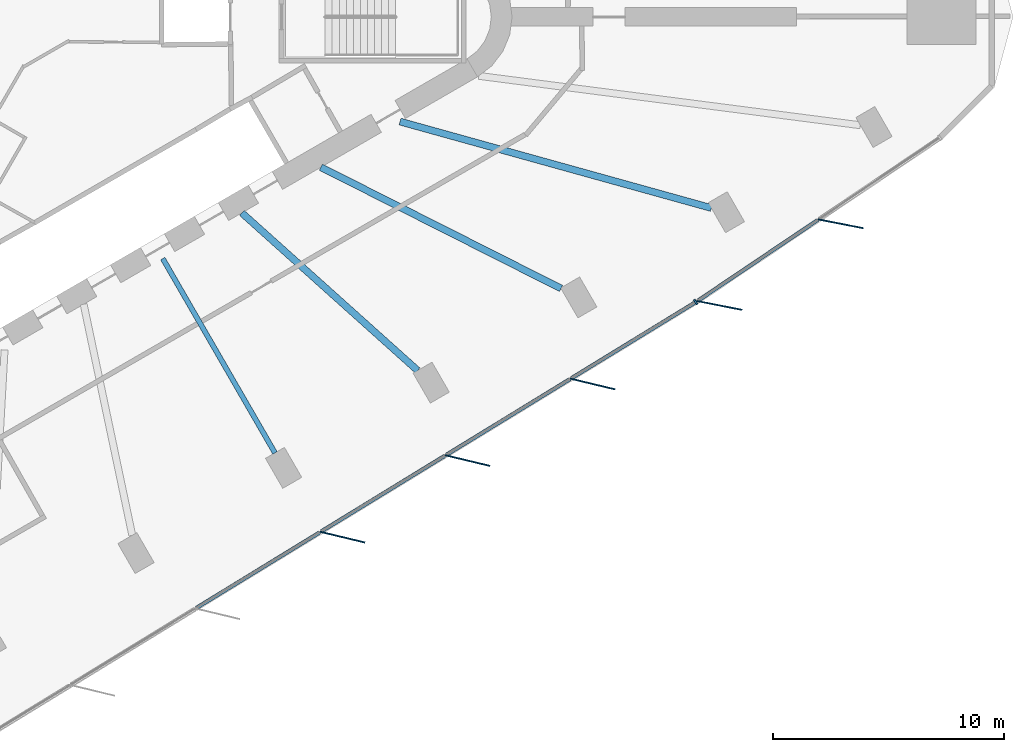
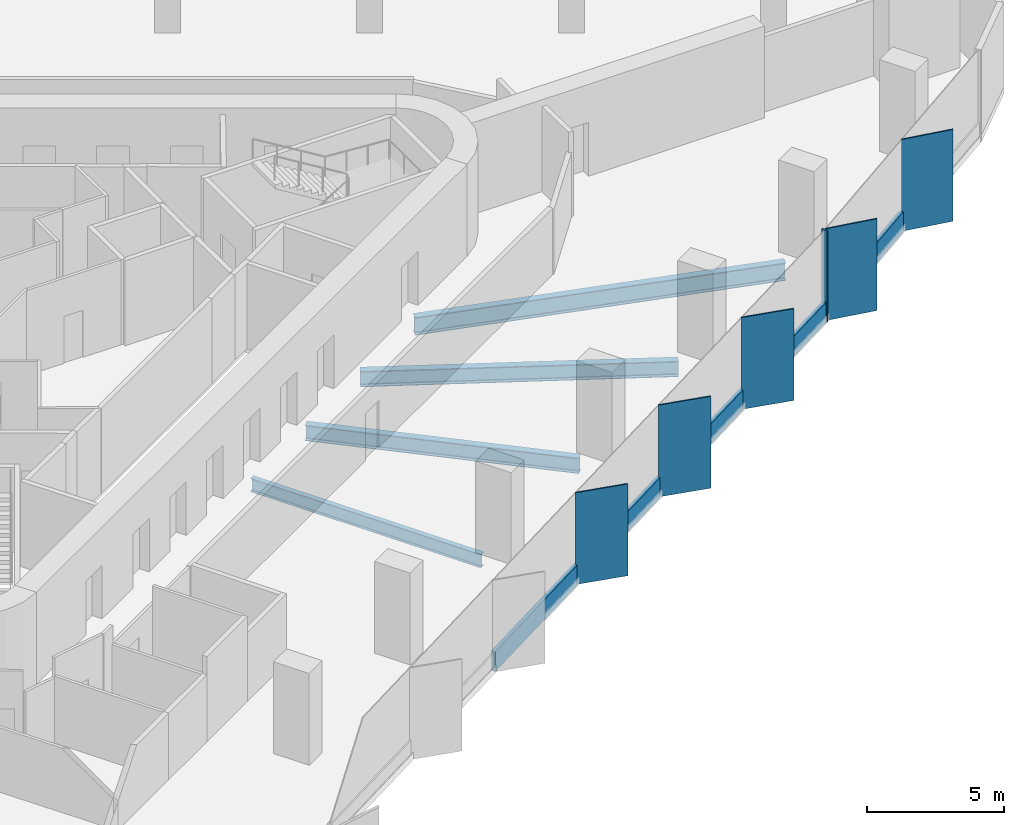
# One storey, part 3 of 14: 11 members, 4 beams, 2 elements without a shape of their own.
"""IFC4 building model written with IfcOpenShell, lengths in metres."""

import ifcopenshell
import ifcopenshell.guid

model = None  # the IFC model being written
_history = None  # IfcOwnerHistory: only IFC2X3 demands one
_inside = {}  # id of a spatial element -> (the spatial element, [elements in it])
_under = {}  # id of a project, library or spatial element -> (it, [spatial elements below it])
_declared = {}  # id of a project -> (the project, [libraries it declares])
_typed = {}  # id of a type object -> (the type object, [elements of that type])
_made_of = {}  # id of a material, layer set ... -> (it, [elements and type objects made of it])


def new_model(schema):
    """Start an empty IFC model of exactly this schema.

    Asked for "IFC4X3", IfcOpenShell would pick the latest addendum, in which some entities
    have other attributes; the version numbers below select the first issue.
    IFC2X3 requires an IfcOwnerHistory on every rooted entity: one is made here for all.
    """
    global model, _history
    if schema == "IFC4X3":
        model = ifcopenshell.file(schema_version=(4, 3, 0, 0))
    else:
        model = ifcopenshell.file(schema=schema)
    _inside.clear()
    _under.clear()
    _declared.clear()
    _typed.clear()
    _made_of.clear()
    _history = None
    if model.schema == "IFC2X3":
        org = make("IfcOrganization", Name="unknown")
        user = make(
            "IfcPersonAndOrganization",
            ThePerson=make("IfcPerson", FamilyName="unknown"),
            TheOrganization=org,
        )
        app = make(
            "IfcApplication",
            ApplicationDeveloper=org,
            Version="unknown",
            ApplicationFullName="unknown",
            ApplicationIdentifier="unknown",
        )
        _history = make(
            "IfcOwnerHistory",
            OwningUser=user,
            OwningApplication=app,
            ChangeAction="ADDED",
            CreationDate=0,
        )
    return model


def make(cls, **values):
    """One entity of the class cls with the attributes given. An attribute that is None is left unset."""
    return model.create_entity(
        cls, **{name: value for name, value in values.items() if value is not None}
    )


def rooted(cls, **values):
    """An entity with a GlobalId (a new one), such as an element, a storey or a relation."""
    return make(cls, GlobalId=ifcopenshell.guid.new(), OwnerHistory=_history, **values)


def si_unit(unit_type, name, prefix=None):
    """IfcSIUnit, for example si_unit("LENGTHUNIT", "METRE", prefix="MILLI")."""
    return make("IfcSIUnit", UnitType=unit_type, Prefix=prefix, Name=name)


def assignment(units):
    """IfcUnitAssignment: the units of a project."""
    return None if units is None else make("IfcUnitAssignment", Units=units)


def point(xyz):
    """IfcCartesianPoint."""
    return None if xyz is None else make("IfcCartesianPoint", Coordinates=xyz)


def direction(xyz):
    """IfcDirection."""
    return None if xyz is None else make("IfcDirection", DirectionRatios=xyz)


def frame(location, z_axis=None, x_axis=None):
    """IfcAxis2Placement3D, a coordinate frame: its origin and axes. An axis left out is left unset."""
    return make(
        "IfcAxis2Placement3D",
        Location=point(location),
        Axis=direction(z_axis),
        RefDirection=direction(x_axis),
    )


def frame_2d(location, x_axis=None):
    """IfcAxis2Placement2D, a coordinate frame in the plane: its origin and x axis."""
    return make(
        "IfcAxis2Placement2D", Location=point(location), RefDirection=direction(x_axis)
    )


def origin():
    """The frame at (0, 0, 0) with its axes left unset."""
    return frame((0.0, 0.0, 0.0))


def origin_2d():
    """The frame at (0, 0) in the plane with its x axis left unset."""
    return frame_2d((0.0, 0.0))


def place(relative_to, where):
    """IfcLocalPlacement: puts the frame where relative to a parent placement (None: the world)."""
    return make(
        "IfcLocalPlacement", PlacementRelTo=relative_to, RelativePlacement=where
    )


def context(
    kind, dimensions, precision=None, world=None, true_north=None, identifier=None
):
    """IfcGeometricRepresentationContext, for example the 3D "Model" context."""
    return make(
        "IfcGeometricRepresentationContext",
        ContextIdentifier=identifier,
        ContextType=kind,
        CoordinateSpaceDimension=dimensions,
        Precision=precision,
        WorldCoordinateSystem=world,
        TrueNorth=true_north,
    )


def subcontext(parent, identifier, kind, view, scale=None):
    """IfcGeometricRepresentationSubContext, for example "Body" below "Model"."""
    return make(
        "IfcGeometricRepresentationSubContext",
        ContextIdentifier=identifier,
        ContextType=kind,
        ParentContext=parent,
        TargetScale=scale,
        TargetView=view,
    )


def project(units=None, contexts=None):
    """IfcProject with its units and contexts."""
    return rooted(
        "IfcProject",
        Name="project",
        RepresentationContexts=contexts,
        UnitsInContext=assignment(units),
    )


def spatial(cls, under=None, at=None, **own):
    """A site, building, storey or space (cls), placed at a placement, below another one or the project."""
    s = rooted(cls, ObjectPlacement=at, **own)
    if under is not None:
        _under.setdefault(under.id(), (under, []))[1].append(s)
    return s


def profile(cls, at=None, kind="AREA", **sizes):
    """A parametric profile (cls). Its sizes go by their IFC names, for example OverallWidth=200.0."""
    return make(cls, ProfileType=kind, Position=at, **sizes)


def rectangle(**sizes):
    """IfcRectangleProfileDef."""
    return profile("IfcRectangleProfileDef", **sizes)


def i_section(**sizes):
    """IfcIShapeProfileDef."""
    return profile("IfcIShapeProfileDef", **sizes)


def extrude(swept, where, along, depth):
    """IfcExtrudedAreaSolid: the profile swept, set in the frame where, extruded along a direction by depth."""
    return make(
        "IfcExtrudedAreaSolid",
        SweptArea=swept,
        Position=where,
        ExtrudedDirection=direction(along),
        Depth=depth,
    )


def shape(context_of_items, identifier, shape_type, items):
    """IfcShapeRepresentation: the items that make up one representation, for example the "Body"."""
    return make(
        "IfcShapeRepresentation",
        ContextOfItems=context_of_items,
        RepresentationIdentifier=identifier,
        RepresentationType=shape_type,
        Items=items,
    )


def material(Name=None, Category=None):
    """IfcMaterial."""
    return make("IfcMaterial", Name=Name, Category=Category)


def material_profile(
    of_material, cross_section, Name=None, Category=None, Priority=None
):
    """IfcMaterialProfile: a cross section and its material."""
    return make(
        "IfcMaterialProfile",
        Name=Name,
        Material=of_material,
        Profile=cross_section,
        Priority=Priority,
        Category=Category,
    )


def profile_set(profiles, Name=None, composite=None):
    """IfcMaterialProfileSet."""
    return make(
        "IfcMaterialProfileSet",
        Name=Name,
        MaterialProfiles=profiles,
        CompositeProfile=composite,
    )


def made_of(thing, what):
    """Note that an element or type object is made of a material, layer set ...; save() writes the relation."""
    if what is not None:
        _made_of.setdefault(what.id(), (what, []))[1].append(thing)
    return thing


def type_object(cls, material=None, **own):
    """A type object (cls), such as IfcWallType, which elements share."""
    return made_of(rooted(cls, **own), material)


def element(
    cls,
    number,
    at=None,
    inside=None,
    cuts=None,
    type_object=None,
    material=None,
    context=None,
    identifier="Body",
    shape_type=None,
    held_by="IfcProductDefinitionShape",
    body=None,
    shapes=None,
    **own,
):
    """One element of the class cls, such as IfcWall. Its Tag is "e" and its number.

    at: its placement. inside: the storey or other place that contains it. cuts: it is an
    opening in that element (IfcRelVoidsElement). A single representation is given by context,
    identifier, shape_type and body (its items); several are given by shapes. held_by: the class
    of the entity that holds the representations. save() writes the other relations.
    """
    e = rooted(cls, Tag="e%d" % number, ObjectPlacement=at, **own)
    if body is not None:
        shapes = [shape(context, identifier, shape_type, body)]
    if shapes is not None:
        e.Representation = make(held_by, Representations=shapes)
    if inside is not None:
        _inside.setdefault(inside.id(), (inside, []))[1].append(e)
    if cuts is not None:
        rooted(
            "IfcRelVoidsElement", RelatingBuildingElement=cuts, RelatedOpeningElement=e
        )
    if type_object is not None:
        _typed.setdefault(type_object.id(), (type_object, []))[1].append(e)
    return made_of(e, material)


def aggregate(whole, parts):
    """IfcRelAggregates: a whole, such as a stair, and the parts it consists of."""
    return rooted("IfcRelAggregates", RelatingObject=whole, RelatedObjects=parts)


def save(model, path):
    """Write the relations noted so far, then the file.

    IfcRelAggregates (storeys below a building ...), IfcRelContainedInSpatialStructure (elements
    in a storey), IfcRelDefinesByType, IfcRelAssociatesMaterial and IfcRelDeclares: one each for
    every whole, place, type object, material and project.
    """
    for whole, parts in _under.values():
        aggregate(whole, parts)
    for where, things in _inside.values():
        rooted(
            "IfcRelContainedInSpatialStructure",
            RelatedElements=things,
            RelatingStructure=where,
        )
    for kind, things in _typed.values():
        rooted("IfcRelDefinesByType", RelatedObjects=things, RelatingType=kind)
    for what, things in _made_of.values():
        rooted("IfcRelAssociatesMaterial", RelatedObjects=things, RelatingMaterial=what)
    for by, libraries in _declared.values():
        rooted("IfcRelDeclares", RelatingContext=by, RelatedDefinitions=libraries)
    model.write(path)


model = new_model("IFC4")

# Units and contexts
model_context = context("Model", 3, precision=1e-05, world=origin(), true_north=direction((0.0, 1.0)))
body_context = subcontext(model_context, "Body", "Model", "MODEL_VIEW")
ifc_project = project(units=[si_unit("LENGTHUNIT", "METRE"), si_unit("AREAUNIT", "SQUARE_METRE"), si_unit("VOLUMEUNIT", "CUBIC_METRE"), si_unit("PLANEANGLEUNIT", "RADIAN"), si_unit("MASSUNIT", "GRAM", prefix="KILO")], contexts=[model_context])

# Site, building, storey
site_placement = place(None, origin())
site = spatial("IfcSite", under=ifc_project, at=site_placement, CompositionType="ELEMENT")
building_placement = place(site_placement, origin())
building = spatial("IfcBuilding", under=site, at=building_placement, Name="Tanit Gate Tower", CompositionType="ELEMENT")
storey_placement = place(building_placement, frame((0.0, 0.0, 148.0)))
storey = spatial("IfcBuildingStorey", under=building, at=storey_placement, Name="L32", CompositionType="ELEMENT", Elevation=148.0)

# Curtain wall, members
ifc_material_1 = material(Name="Aluminium bronze anodised and glass", Category="aluminium")
curtain_wall_type = type_object("IfcCurtainWallType", Name="Curtain wall typical low", PredefinedType="NOTDEFINED", material=ifc_material_1)
curtain_wall_1_placement = place(storey_placement, origin())
curtain_wall_1 = element("IfcCurtainWall", 1, at=curtain_wall_1_placement, inside=storey, type_object=curtain_wall_type, Name="Curtain wall L32 SE2", PredefinedType="NOTDEFINED")
ifc_material_2 = material(Name="Aluminium bronze anodised", Category="aluminium")
ifc_material_profile_1 = material_profile(ifc_material_2, rectangle(XDim=2.0, YDim=0.055908203125, at=origin_2d()), Name="56x2000 bronze fin mullion")
ifc_profile_set_1 = profile_set([ifc_material_profile_1], Name="Aluminium bronze anodised")
member_type_1 = type_object("IfcMemberType", Name="FIN MULLION 56x2000 bronze", PredefinedType="MULLION", material=ifc_profile_set_1)
member_1_placement = place(storey_placement, frame((13.8447265625, -22.560546875, -0.300048828125), z_axis=(0.0, 0.0, 1.0), x_axis=(-0.972310815553, 0.233691416098, 0.0)))
member_1 = element("IfcMember", 2, at=member_1_placement, type_object=member_type_1, Name="Fin mullion L32 SE2.4", PredefinedType="MULLION", context=body_context, shape_type="SweptSolid", body=[
    extrude(rectangle(XDim=2.0, YDim=0.055908203125, at=origin_2d()), origin(), (0.0, 0.0, 1.0), 4.10009765625),
])
member_2_placement = place(storey_placement, frame((19.26806640625, -19.239013671875, -0.300048828125), z_axis=(0.0, 0.0, 1.0), x_axis=(-0.972310815553, 0.233691416098, 0.0)))
member_2 = element("IfcMember", 3, at=member_2_placement, type_object=member_type_1, Name="Fin mullion L32 SE2.5", PredefinedType="MULLION", context=body_context, shape_type="SweptSolid", body=[
    extrude(rectangle(XDim=2.0, YDim=0.055908203125, at=origin_2d()), origin(), (0.0, 0.0, 1.0), 4.10009765625),
])
member_3_placement = place(storey_placement, frame((24.691650390625, -15.917236328125, -0.300048828125), z_axis=(0.0, 0.0, 1.0), x_axis=(-0.972310815553, 0.233691416098, 0.0)))
member_3 = element("IfcMember", 4, at=member_3_placement, type_object=member_type_1, Name="Fin mullion L32 SE2.6", PredefinedType="MULLION", context=body_context, shape_type="SweptSolid", body=[
    extrude(rectangle(XDim=2.0, YDim=0.055908203125, at=origin_2d()), origin(), (0.0, 0.0, 1.0), 4.10009765625),
])

curtain_wall_2_placement = place(storey_placement, origin())
curtain_wall_2 = element("IfcCurtainWall", 5, at=curtain_wall_2_placement, inside=storey, type_object=curtain_wall_type, Name="Curtain wall L32 SE3", PredefinedType="NOTDEFINED")
member_4_placement = place(storey_placement, frame((30.19140625, -12.511474609375, -0.300048828125), z_axis=(0.0, 0.0, 1.0), x_axis=(-0.981446047201, 0.191738510566, 0.0)))
member_4 = element("IfcMember", 6, at=member_4_placement, type_object=member_type_1, Name="Fin mullion L32 SE3.1", PredefinedType="MULLION", context=body_context, shape_type="SweptSolid", body=[
    extrude(rectangle(XDim=2.0, YDim=0.055908203125, at=origin_2d()), origin(), (0.0, 0.0, 1.0), 4.10009765625),
])
member_5_placement = place(storey_placement, frame((35.45166015625, -8.970458984375, -0.300048828125), z_axis=(0.0, 0.0, 1.0), x_axis=(-0.981446047201, 0.191738510566, 0.0)))
member_5 = element("IfcMember", 7, at=member_5_placement, type_object=member_type_1, Name="Fin mullion L32 SE3.2", PredefinedType="MULLION", context=body_context, shape_type="SweptSolid", body=[
    extrude(rectangle(XDim=2.0, YDim=0.055908203125, at=origin_2d()), origin(), (0.0, 0.0, 1.0), 4.10009765625),
])

# Member
ifc_material_3 = material(Name="Aluminium bronze anodised", Category="aluminium")
ifc_material_profile_2 = material_profile(ifc_material_3, rectangle(XDim=0.239990234375, YDim=0.080078125, at=origin_2d()), Name="80x240 bronze mullion")
ifc_profile_set_2 = profile_set([ifc_material_profile_2], Name="Aluminium bronze anodised")
member_type_2 = type_object("IfcMemberType", Name="Mullion 80x240 typical low", PredefinedType="MULLION", material=ifc_profile_set_2)
member_6_placement = place(storey_placement, frame((29.164794921875, -12.3671875, -0.300048828125), z_axis=(0.0, 0.0, 1.0), x_axis=(-0.522282786071, 0.852772356127, 0.0)))
member_6 = element("IfcMember", 8, at=member_6_placement, type_object=member_type_2, Name="Mullion L32 SE2.7", PredefinedType="MULLION", context=body_context, shape_type="SweptSolid", body=[
    extrude(rectangle(XDim=0.239990234375, YDim=0.080078125, at=origin_2d()), origin(), (0.0, 0.0, 1.0), 4.10009765625),
])

# Beams
ifc_material_4 = material(Name="Steel S355", Category="steel")
ifc_material_profile_3 = material_profile(ifc_material_4, i_section(OverallWidth=0.300048828125, OverallDepth=0.68994140625, WebThickness=0.014404296875, FlangeThickness=0.027099609375, FilletRadius=0.027099609375, at=origin_2d()), Name="HEA 700")
ifc_profile_set_3 = profile_set([ifc_material_profile_3], Name="Steel S355")
beam_type_1 = type_object("IfcBeamType", Name="RADIAL GIRDER HEA 700 S355", PredefinedType="BEAM", material=ifc_profile_set_3)
beam_1_placement = place(storey_placement, frame((17.104736328125, -15.33447265625, -0.64501953125), z_axis=(-0.744579249177, 0.667534075307, 0.0), x_axis=(-0.667534075307, -0.744579249177, 0.0)))
element("IfcBeam", 9, at=beam_1_placement, inside=storey, type_object=beam_type_1, Name="RADIAL GIRDER", PredefinedType="BEAM", context=body_context, shape_type="SweptSolid", body=[
    extrude(i_section(OverallWidth=0.300048828125, OverallDepth=0.68994140625, WebThickness=0.014404296875, FlangeThickness=0.027099609375, FilletRadius=0.027099609375, at=origin_2d()), origin(), (0.0, 0.0, 1.0), 10.23828125),
])
beam_2_placement = place(storey_placement, frame((23.3193359375, -11.774658203125, -0.64501953125), z_axis=(-0.892657080142, 0.450736438811, 0.0), x_axis=(-0.450736438811, -0.892657080142, 0.0)))
element("IfcBeam", 10, at=beam_2_placement, inside=storey, type_object=beam_type_1, Name="RADIAL GIRDER", PredefinedType="BEAM", context=body_context, shape_type="SweptSolid", body=[
    extrude(i_section(OverallWidth=0.300048828125, OverallDepth=0.68994140625, WebThickness=0.014404296875, FlangeThickness=0.027099609375, FilletRadius=0.027099609375, at=origin_2d()), origin(), (0.0, 0.0, 1.0), 11.658935546875),
])
ifc_material_5 = material(Name="Steel S355", Category="steel")
ifc_material_profile_4 = material_profile(ifc_material_5, i_section(OverallWidth=0.300048828125, OverallDepth=0.7900390625, WebThickness=0.014892578125, FlangeThickness=0.028076171875, FilletRadius=0.030029296875, at=origin_2d()), Name="HEA 800")
ifc_profile_set_4 = profile_set([ifc_material_profile_4], Name="Steel S355")
beam_type_2 = type_object("IfcBeamType", Name="RADIAL GIRDER HEA 800 S355", PredefinedType="BEAM", material=ifc_profile_set_4)
beam_3_placement = place(storey_placement, frame((29.841552734375, -8.288330078125, -0.695068359375), z_axis=(-0.9635276455, 0.267608812181, 0.0), x_axis=(-0.267608812181, -0.9635276455, 0.0)))
element("IfcBeam", 11, at=beam_3_placement, inside=storey, type_object=beam_type_2, Name="RADIAL GIRDER", PredefinedType="BEAM", context=body_context, shape_type="SweptSolid", body=[
    extrude(i_section(OverallWidth=0.300048828125, OverallDepth=0.7900390625, WebThickness=0.014892578125, FlangeThickness=0.028076171875, FilletRadius=0.030029296875, at=origin_2d()), origin(), (0.0, 0.0, 1.0), 14.01025390625),
])
ifc_material_6 = material(Name="Steel S355", Category="steel")
ifc_material_profile_5 = material_profile(ifc_material_6, i_section(OverallWidth=0.219970703125, OverallDepth=0.60009765625, WebThickness=0.011962890625, FlangeThickness=0.01904296875, FilletRadius=0.02392578125, at=origin_2d()), Name="IPE 600")
ifc_profile_set_5 = profile_set([ifc_material_profile_5], Name="Steel S355")
beam_type_3 = type_object("IfcBeamType", Name="RADIAL GIRDER IPE 600 S355", PredefinedType="BEAM", material=ifc_profile_set_5)
beam_4_placement = place(storey_placement, frame((10.916259765625, -18.907470703125, -0.60009765625), z_axis=(-0.500003351622, 0.866023468716, 0.0), x_axis=(-0.866023468716, -0.500003351622, 0.0)))
element("IfcBeam", 12, at=beam_4_placement, inside=storey, type_object=beam_type_3, Name="RADIAL GIRDER", PredefinedType="BEAM", context=body_context, shape_type="SweptSolid", body=[
    extrude(i_section(OverallWidth=0.219970703125, OverallDepth=0.60009765625, WebThickness=0.011962890625, FlangeThickness=0.01904296875, FilletRadius=0.02392578125, at=origin_2d()), origin(), (0.0, 0.0, 1.0), 9.73046875),
])

# Member
ifc_material_7 = material(Name="Aluminium bronze anodised", Category="aluminium")
ifc_material_profile_6 = material_profile(ifc_material_7, rectangle(XDim=0.159912109375, YDim=0.89990234375, at=origin_2d()), Name="160x900 bronze transom")
ifc_profile_set_6 = profile_set([ifc_material_profile_6], Name="Aluminium bronze anodised")
member_type_3 = type_object("IfcMemberType", Name="Transom 160x900 typical low", PredefinedType="USERDEFINED", material=ifc_profile_set_6)
member_7_placement = place(storey_placement, frame((7.5048828125, -25.6328125, 0.14990234375), z_axis=(0.852785581327, 0.522261191628, 0.0), x_axis=(-0.522261191628, 0.852785581327, 0.0)))
member_7 = element("IfcMember", 13, at=member_7_placement, type_object=member_type_3, Name="Transom L32 SE2.3", ObjectType="TRANSOM", PredefinedType="USERDEFINED", context=body_context, shape_type="SweptSolid", body=[
    extrude(rectangle(XDim=0.159912109375, YDim=0.89990234375, at=origin_2d()), origin(), (0.0, 0.0, 1.0), 6.280029296875),
])

member_8_placement = place(storey_placement, frame((12.928466796875, -22.311279296875, 0.14990234375), z_axis=(0.852774977088, 0.522278506597, 0.0), x_axis=(-0.522278506597, 0.852774977088, 0.0)))
member_8 = element("IfcMember", 14, at=member_8_placement, type_object=member_type_3, Name="Transom L32 SE2.4", ObjectType="TRANSOM", PredefinedType="USERDEFINED", context=body_context, shape_type="SweptSolid", body=[
    extrude(rectangle(XDim=0.159912109375, YDim=0.89990234375, at=origin_2d()), origin(), (0.0, 0.0, 1.0), 6.27978515625),
])

member_9_placement = place(storey_placement, frame((18.35205078125, -18.989501953125, 0.14990234375), z_axis=(0.852774977088, 0.522278506597, 0.0), x_axis=(-0.522278506597, 0.852774977088, 0.0)))
member_9 = element("IfcMember", 15, at=member_9_placement, type_object=member_type_3, Name="Transom L32 SE2.5", ObjectType="TRANSOM", PredefinedType="USERDEFINED", context=body_context, shape_type="SweptSolid", body=[
    extrude(rectangle(XDim=0.159912109375, YDim=0.89990234375, at=origin_2d()), origin(), (0.0, 0.0, 1.0), 6.27978515625),
])

member_10_placement = place(storey_placement, frame((23.775390625, -15.66796875, 0.14990234375), z_axis=(0.852774977088, 0.522278506597, 0.0), x_axis=(-0.522278506597, 0.852774977088, 0.0)))
member_10 = element("IfcMember", 16, at=member_10_placement, type_object=member_type_3, Name="Transom L32 SE2.6", ObjectType="TRANSOM", PredefinedType="USERDEFINED", context=body_context, shape_type="SweptSolid", body=[
    extrude(rectangle(XDim=0.159912109375, YDim=0.89990234375, at=origin_2d()), origin(), (0.0, 0.0, 1.0), 6.27978515625),
])

aggregate(curtain_wall_1, [member_1, member_2, member_3, member_6, member_7, member_8, member_9, member_10])

member_11_placement = place(storey_placement, frame((29.26513671875, -12.3017578125, 0.14990234375), z_axis=(0.829564474487, 0.55841094426, 0.0), x_axis=(-0.55841094426, 0.829564474487, 0.0)))
member_11 = element("IfcMember", 17, at=member_11_placement, type_object=member_type_3, Name="Transom L32 SE3.1", ObjectType="TRANSOM", PredefinedType="USERDEFINED", context=body_context, shape_type="SweptSolid", body=[
    extrude(rectangle(XDim=0.159912109375, YDim=0.89990234375, at=origin_2d()), origin(), (0.0, 0.0, 1.0), 6.26123046875),
])

aggregate(curtain_wall_2, [member_4, member_5, member_11])

save(model, "model.ifc")
